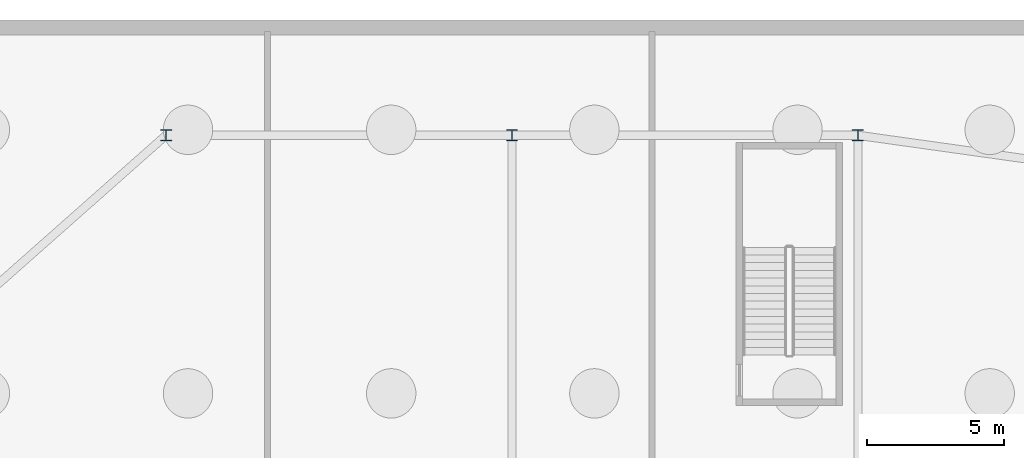
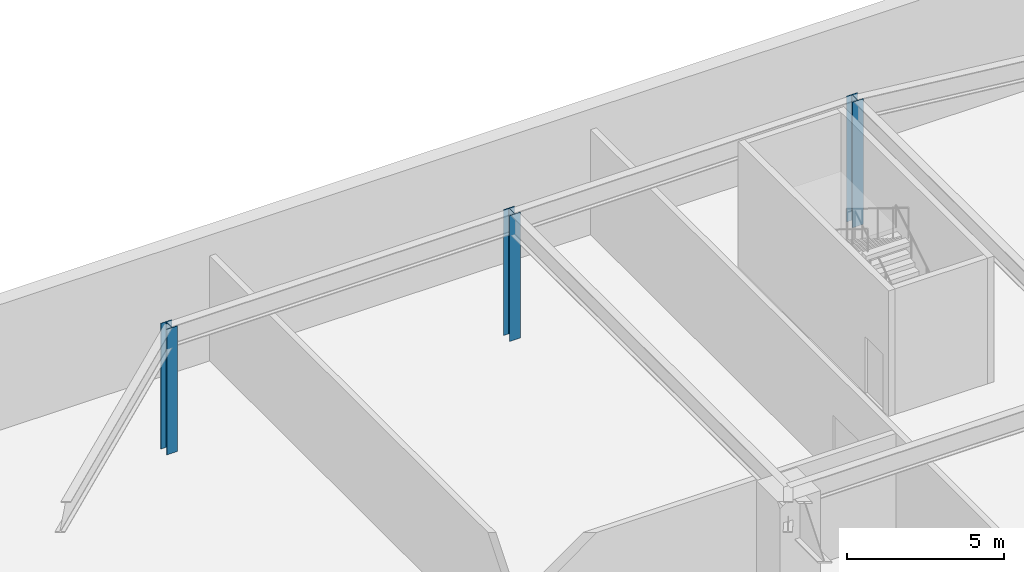
# One storey, part 2 of 12: 3 columns.
"""IFC4 building model written with IfcOpenShell, lengths in metres."""

from ifc_helpers import new_model, si_unit, direction, frame, origin, origin_2d, place, context, subcontext, project, spatial, i_section, extrude, material, material_profile, profile_set, type_object, element, save


model = new_model("IFC4")

# Units and contexts
model_context = context("Model", 3, precision=1e-05, world=origin(), true_north=direction((0.0, 1.0)))
body_context = subcontext(model_context, "Body", "Model", "MODEL_VIEW")
ifc_project = project(units=[si_unit("LENGTHUNIT", "METRE"), si_unit("AREAUNIT", "SQUARE_METRE"), si_unit("VOLUMEUNIT", "CUBIC_METRE"), si_unit("PLANEANGLEUNIT", "RADIAN"), si_unit("MASSUNIT", "GRAM", prefix="KILO")], contexts=[model_context])

# Site, building, storey
site_placement = place(None, origin())
site = spatial("IfcSite", under=ifc_project, at=site_placement, CompositionType="ELEMENT")
building_placement = place(site_placement, origin())
building = spatial("IfcBuilding", under=site, at=building_placement, Name="Calvorn Quay Hotel", CompositionType="ELEMENT")
storey_placement = place(building_placement, frame((0.0, 0.0, -10.39990234375)))
storey = spatial("IfcBuildingStorey", under=building, at=storey_placement, Name="B2", CompositionType="ELEMENT", Elevation=-10.39990234375)

# Columns
ifc_material = material(Name="Steel Q420GJC", Category="steel")
ifc_material_profile = material_profile(ifc_material, i_section(OverallWidth=0.39990234375, OverallDepth=0.39990234375, WebThickness=0.012939453125, FlangeThickness=0.02099609375, FilletRadius=0.02197265625, at=origin_2d()), Name="HW400x400x13x21")
ifc_profile_set = profile_set([ifc_material_profile], Name="Steel Q420GJC")
column_type = type_object("IfcColumnType", Name="COL-STL-POD-PIL", PredefinedType="PILASTER", material=ifc_profile_set)
for number, where, z_axis, x_axis, name in (
    (1, (32.39990234375, 53.800048828125, 0.0), (0.0, 0.0, 1.0), (1.0, 0.0, 0.0), "Column C-PN3 (B2)"),
    (2, (45.0, 53.800048828125, 0.0), (0.0, 0.0, 1.0), (1.0, 0.0, 0.0), "Column C-PN4 (B2)"),
    (3, (57.60009765625, 53.800048828125, 0.0), (0.0, 0.0, 1.0), (1.0, 0.0, 0.0), "Column C-PN5 (B2)"),
):
    element("IfcColumn", number, at=place(storey_placement, frame(where, z_axis=z_axis, x_axis=x_axis)), inside=storey, type_object=column_type, Name=name, PredefinedType="PILASTER", context=body_context, shape_type="SweptSolid", body=[
        extrude(i_section(OverallWidth=0.39990234375, OverallDepth=0.39990234375, WebThickness=0.012939453125, FlangeThickness=0.02099609375, FilletRadius=0.02197265625, at=origin_2d()), origin(), (0.0, 0.0, 1.0), 4.8798828125),
    ])

save(model, "model.ifc")
